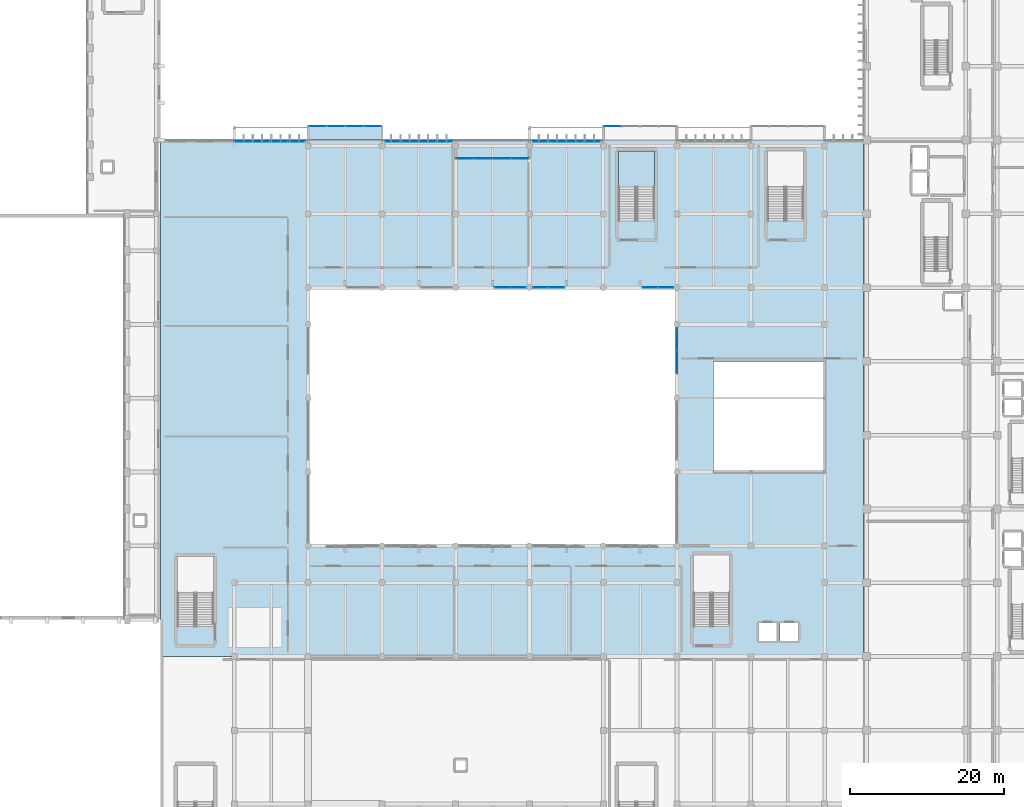
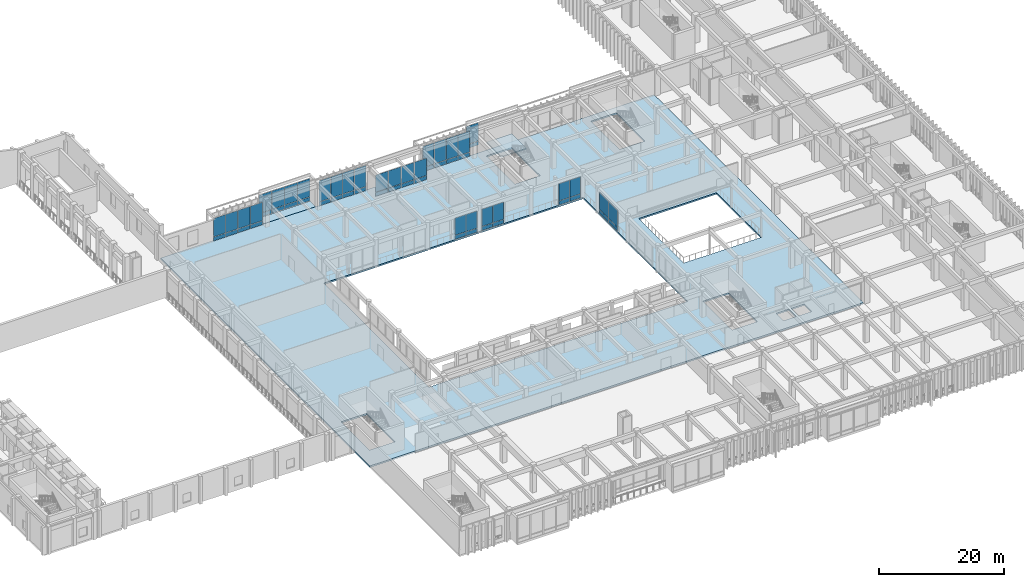
# One storey, part 94 of 134: 58 plates, 3 slabs, 11 elements without a shape of their own.
"""IFC4 building model written with IfcOpenShell, lengths in metres."""

from ifc_helpers import new_model, si_unit, direction, frame, origin, origin_2d, place, context, subcontext, project, spatial, polyline, rectangle, outline, extrude, material, layer, layer_set, type_object, element, aggregate, save


model = new_model("IFC4")

# Units and contexts
model_context = context("Model", 3, precision=1e-05, world=origin(), true_north=direction((0.0, 1.0)))
body_context = subcontext(model_context, "Body", "Model", "MODEL_VIEW")
ifc_project = project(units=[si_unit("LENGTHUNIT", "METRE"), si_unit("AREAUNIT", "SQUARE_METRE"), si_unit("VOLUMEUNIT", "CUBIC_METRE"), si_unit("PLANEANGLEUNIT", "RADIAN"), si_unit("MASSUNIT", "GRAM", prefix="KILO")], contexts=[model_context])

# Site, building, storey
site_placement = place(None, origin())
site = spatial("IfcSite", under=ifc_project, at=site_placement, CompositionType="ELEMENT")
building_placement = place(site_placement, origin())
building = spatial("IfcBuilding", under=site, at=building_placement, Name="Nakhvara Creek Congress Hotel", CompositionType="ELEMENT")
storey_placement = place(building_placement, frame((0.0, 0.0, 6.0)))
storey = spatial("IfcBuildingStorey", under=building, at=storey_placement, Name="L01", CompositionType="ELEMENT", Elevation=6.0)

# Curtain wall, plates
ifc_material_1 = material(Name="Bronze-anodised aluminium AW-6063-T6 and double-silver low-E glass", Category="aluminium")
ifc_layer_1 = layer(ifc_material_1, 0.199951171875)
ifc_layer_set_1 = layer_set([ifc_layer_1], Name="Bronze-anodised aluminium AW-6063-T6 and double-silver low-E glass")
curtain_wall_type_1 = type_object("IfcCurtainWallType", Name="CW-POD-STICK", PredefinedType="NOTDEFINED", material=ifc_layer_set_1)
curtain_wall_1_placement = place(storey_placement, origin())
curtain_wall_1 = element("IfcCurtainWall", 1, at=curtain_wall_1_placement, inside=storey, type_object=curtain_wall_type_1, Name="Curtain Wall CW022", PredefinedType="NOTDEFINED")
ifc_material_2 = material(Name="Double-silver solar-control low-E insulated glass", Category="glass")
plate_type = type_object("IfcPlateType", Name="PNL-GLZ-240X260", PredefinedType="CURTAIN_PANEL", material=ifc_material_2)
plate_1_placement = place(storey_placement, frame((104.132568359375, 76.800048828125, 0.06494140625), z_axis=(0.0, 0.0, 1.0), x_axis=(-1.0, 0.0, 0.0)))
plate_1 = element("IfcPlate", 2, at=plate_1_placement, type_object=plate_type, Name="CW022 panel 1.1", PredefinedType="CURTAIN_PANEL", context=body_context, shape_type="SweptSolid", body=[
    extrude(rectangle(XDim=1.97509765625, YDim=0.030029296875, at=origin_2d()), origin(), (0.0, 0.0, 1.0), 0.75244140625),
])
plate_2_placement = place(storey_placement, frame((104.132568359375, 76.800048828125, 0.88232421875), z_axis=(0.0, 0.0, 1.0), x_axis=(-1.0, 0.0, 0.0)))
plate_2 = element("IfcPlate", 3, at=plate_2_placement, type_object=plate_type, Name="CW022 panel 1.2", PredefinedType="CURTAIN_PANEL", context=body_context, shape_type="SweptSolid", body=[
    extrude(rectangle(XDim=1.97509765625, YDim=0.030029296875, at=origin_2d()), origin(), (0.0, 0.0, 1.0), 3.364501953125),
])
plate_3_placement = place(storey_placement, frame((102.092529296875, 76.800048828125, 0.06494140625), z_axis=(0.0, 0.0, 1.0), x_axis=(-1.0, 0.0, 0.0)))
plate_3 = element("IfcPlate", 4, at=plate_3_placement, type_object=plate_type, Name="CW022 panel 2.1", PredefinedType="CURTAIN_PANEL", context=body_context, shape_type="SweptSolid", body=[
    extrude(rectangle(XDim=1.97509765625, YDim=0.030029296875, at=origin_2d()), origin(), (0.0, 0.0, 1.0), 0.75244140625),
])
plate_4_placement = place(storey_placement, frame((102.092529296875, 76.800048828125, 0.88232421875), z_axis=(0.0, 0.0, 1.0), x_axis=(-1.0, 0.0, 0.0)))
plate_4 = element("IfcPlate", 5, at=plate_4_placement, type_object=plate_type, Name="CW022 panel 2.2", PredefinedType="CURTAIN_PANEL", context=body_context, shape_type="SweptSolid", body=[
    extrude(rectangle(XDim=1.97509765625, YDim=0.030029296875, at=origin_2d()), origin(), (0.0, 0.0, 1.0), 3.364501953125),
])
aggregate(curtain_wall_1, [plate_1, plate_2, plate_3, plate_4])

curtain_wall_2_placement = place(storey_placement, origin())
curtain_wall_2 = element("IfcCurtainWall", 6, at=curtain_wall_2_placement, inside=storey, type_object=curtain_wall_type_1, Name="Curtain Wall CW024", PredefinedType="NOTDEFINED")
plate_5_placement = place(storey_placement, frame((109.107421875, 76.800048828125, 0.06494140625), z_axis=(0.0, 0.0, 1.0), x_axis=(-1.0, 0.0, 0.0)))
plate_5 = element("IfcPlate", 7, at=plate_5_placement, type_object=plate_type, Name="CW024 panel 1.1", PredefinedType="CURTAIN_PANEL", context=body_context, shape_type="SweptSolid", body=[
    extrude(rectangle(XDim=1.97509765625, YDim=0.030029296875, at=origin_2d()), origin(), (0.0, 0.0, 1.0), 0.75244140625),
])
plate_6_placement = place(storey_placement, frame((109.107421875, 76.800048828125, 0.88232421875), z_axis=(0.0, 0.0, 1.0), x_axis=(-1.0, 0.0, 0.0)))
plate_6 = element("IfcPlate", 8, at=plate_6_placement, type_object=plate_type, Name="CW024 panel 1.2", PredefinedType="CURTAIN_PANEL", context=body_context, shape_type="SweptSolid", body=[
    extrude(rectangle(XDim=1.97509765625, YDim=0.030029296875, at=origin_2d()), origin(), (0.0, 0.0, 1.0), 3.364501953125),
])
plate_7_placement = place(storey_placement, frame((107.0673828125, 76.800048828125, 0.06494140625), z_axis=(0.0, 0.0, 1.0), x_axis=(-1.0, 0.0, 0.0)))
plate_7 = element("IfcPlate", 9, at=plate_7_placement, type_object=plate_type, Name="CW024 panel 2.1", PredefinedType="CURTAIN_PANEL", context=body_context, shape_type="SweptSolid", body=[
    extrude(rectangle(XDim=1.97509765625, YDim=0.030029296875, at=origin_2d()), origin(), (0.0, 0.0, 1.0), 0.75244140625),
])
plate_8_placement = place(storey_placement, frame((107.0673828125, 76.800048828125, 0.88232421875), z_axis=(0.0, 0.0, 1.0), x_axis=(-1.0, 0.0, 0.0)))
plate_8 = element("IfcPlate", 10, at=plate_8_placement, type_object=plate_type, Name="CW024 panel 2.2", PredefinedType="CURTAIN_PANEL", context=body_context, shape_type="SweptSolid", body=[
    extrude(rectangle(XDim=1.97509765625, YDim=0.030029296875, at=origin_2d()), origin(), (0.0, 0.0, 1.0), 3.364501953125),
])
aggregate(curtain_wall_2, [plate_5, plate_6, plate_7, plate_8])

curtain_wall_3_placement = place(storey_placement, origin())
curtain_wall_3 = element("IfcCurtainWall", 11, at=curtain_wall_3_placement, inside=storey, type_object=curtain_wall_type_1, Name="Curtain Wall CW026", PredefinedType="NOTDEFINED")
plate_9_placement = place(storey_placement, frame((123.33251953125, 76.800048828125, 0.06494140625), z_axis=(0.0, 0.0, 1.0), x_axis=(-1.0, 0.0, 0.0)))
plate_9 = element("IfcPlate", 12, at=plate_9_placement, type_object=plate_type, Name="CW026 panel 1.1", PredefinedType="CURTAIN_PANEL", context=body_context, shape_type="SweptSolid", body=[
    extrude(rectangle(XDim=1.97509765625, YDim=0.030029296875, at=origin_2d()), origin(), (0.0, 0.0, 1.0), 0.75244140625),
])
plate_10_placement = place(storey_placement, frame((123.33251953125, 76.800048828125, 0.88232421875), z_axis=(0.0, 0.0, 1.0), x_axis=(-1.0, 0.0, 0.0)))
plate_10 = element("IfcPlate", 13, at=plate_10_placement, type_object=plate_type, Name="CW026 panel 1.2", PredefinedType="CURTAIN_PANEL", context=body_context, shape_type="SweptSolid", body=[
    extrude(rectangle(XDim=1.97509765625, YDim=0.030029296875, at=origin_2d()), origin(), (0.0, 0.0, 1.0), 3.364501953125),
])
plate_11_placement = place(storey_placement, frame((121.29248046875, 76.800048828125, 0.06494140625), z_axis=(0.0, 0.0, 1.0), x_axis=(-1.0, 0.0, 0.0)))
plate_11 = element("IfcPlate", 14, at=plate_11_placement, type_object=plate_type, Name="CW026 panel 2.1", PredefinedType="CURTAIN_PANEL", context=body_context, shape_type="SweptSolid", body=[
    extrude(rectangle(XDim=1.97509765625, YDim=0.030029296875, at=origin_2d()), origin(), (0.0, 0.0, 1.0), 0.75244140625),
])
plate_12_placement = place(storey_placement, frame((121.29248046875, 76.800048828125, 0.88232421875), z_axis=(0.0, 0.0, 1.0), x_axis=(-1.0, 0.0, 0.0)))
plate_12 = element("IfcPlate", 15, at=plate_12_placement, type_object=plate_type, Name="CW026 panel 2.2", PredefinedType="CURTAIN_PANEL", context=body_context, shape_type="SweptSolid", body=[
    extrude(rectangle(XDim=1.97509765625, YDim=0.030029296875, at=origin_2d()), origin(), (0.0, 0.0, 1.0), 3.364501953125),
])
aggregate(curtain_wall_3, [plate_9, plate_10, plate_11, plate_12])

curtain_wall_4_placement = place(storey_placement, origin())
curtain_wall_4 = element("IfcCurtainWall", 16, at=curtain_wall_4_placement, inside=storey, type_object=curtain_wall_type_1, Name="Curtain Wall CW032", PredefinedType="NOTDEFINED")
plate_13_placement = place(storey_placement, frame((124.800048828125, 67.112548828125, 0.06494140625), z_axis=(0.0, 0.0, 1.0), x_axis=(0.0, 1.0, 0.0)))
plate_13 = element("IfcPlate", 17, at=plate_13_placement, type_object=plate_type, Name="CW032 panel 1.1", PredefinedType="CURTAIN_PANEL", context=body_context, shape_type="SweptSolid", body=[
    extrude(rectangle(XDim=2.89501953125, YDim=0.030029296875, at=origin_2d()), origin(), (0.0, 0.0, 1.0), 0.75244140625),
])
plate_14_placement = place(storey_placement, frame((124.800048828125, 67.112548828125, 0.88232421875), z_axis=(0.0, 0.0, 1.0), x_axis=(0.0, 1.0, 0.0)))
plate_14 = element("IfcPlate", 18, at=plate_14_placement, type_object=plate_type, Name="CW032 panel 1.2", PredefinedType="CURTAIN_PANEL", context=body_context, shape_type="SweptSolid", body=[
    extrude(rectangle(XDim=2.89501953125, YDim=0.030029296875, at=origin_2d()), origin(), (0.0, 0.0, 1.0), 3.364501953125),
])
plate_15_placement = place(storey_placement, frame((124.800048828125, 70.072509765625, 0.06494140625), z_axis=(0.0, 0.0, 1.0), x_axis=(0.0, 1.0, 0.0)))
plate_15 = element("IfcPlate", 19, at=plate_15_placement, type_object=plate_type, Name="CW032 panel 2.1", PredefinedType="CURTAIN_PANEL", context=body_context, shape_type="SweptSolid", body=[
    extrude(rectangle(XDim=2.89501953125, YDim=0.030029296875, at=origin_2d()), origin(), (0.0, 0.0, 1.0), 0.75244140625),
])
plate_16_placement = place(storey_placement, frame((124.800048828125, 70.072509765625, 0.88232421875), z_axis=(0.0, 0.0, 1.0), x_axis=(0.0, 1.0, 0.0)))
plate_16 = element("IfcPlate", 20, at=plate_16_placement, type_object=plate_type, Name="CW032 panel 2.2", PredefinedType="CURTAIN_PANEL", context=body_context, shape_type="SweptSolid", body=[
    extrude(rectangle(XDim=2.89501953125, YDim=0.030029296875, at=origin_2d()), origin(), (0.0, 0.0, 1.0), 3.364501953125),
])
aggregate(curtain_wall_4, [plate_13, plate_14, plate_15, plate_16])

ifc_layer_2 = layer(ifc_material_1, 0.219970703125)
ifc_layer_set_2 = layer_set([ifc_layer_2], Name="Bronze-anodised aluminium AW-6063-T6 and double-silver low-E glass")
curtain_wall_type_2 = type_object("IfcCurtainWallType", Name="CW-BOX-PROJ", PredefinedType="USERDEFINED", material=ifc_layer_set_2)
curtain_wall_5_placement = place(storey_placement, origin())
curtain_wall_5 = element("IfcCurtainWall", 21, at=curtain_wall_5_placement, inside=storey, type_object=curtain_wall_type_2, Name="Curtain Wall CW065", ObjectType="UNITISED", PredefinedType="USERDEFINED")
plate_17_placement = place(storey_placement, frame((78.02001953125, 97.800048828125, 0.0751953125), z_axis=(0.0, 0.0, 1.0), x_axis=(1.0, 0.0, 0.0)))
plate_17 = element("IfcPlate", 22, at=plate_17_placement, type_object=plate_type, Name="CW065 panel 1.1", PredefinedType="CURTAIN_PANEL", context=body_context, shape_type="SweptSolid", body=[
    extrude(rectangle(XDim=2.280029296875, YDim=0.030029296875, at=origin_2d()), origin(), (0.0, 0.0, 1.0), 0.737548828125),
])
plate_18_placement = place(storey_placement, frame((78.02001953125, 97.800048828125, 0.887451171875), z_axis=(0.0, 0.0, 1.0), x_axis=(1.0, 0.0, 0.0)))
plate_18 = element("IfcPlate", 23, at=plate_18_placement, type_object=plate_type, Name="CW065 panel 1.2", PredefinedType="CURTAIN_PANEL", context=body_context, shape_type="SweptSolid", body=[
    extrude(rectangle(XDim=2.280029296875, YDim=0.030029296875, at=origin_2d()), origin(), (0.0, 0.0, 1.0), 3.57958984375),
])
plate_19_placement = place(storey_placement, frame((80.39990234375, 97.800048828125, 0.0751953125), z_axis=(0.0, 0.0, 1.0), x_axis=(1.0, 0.0, 0.0)))
plate_19 = element("IfcPlate", 24, at=plate_19_placement, type_object=plate_type, Name="CW065 panel 2.1", PredefinedType="CURTAIN_PANEL", context=body_context, shape_type="SweptSolid", body=[
    extrude(rectangle(XDim=2.320068359375, YDim=0.030029296875, at=origin_2d()), origin(), (0.0, 0.0, 1.0), 0.737548828125),
])
plate_20_placement = place(storey_placement, frame((80.39990234375, 97.800048828125, 0.887451171875), z_axis=(0.0, 0.0, 1.0), x_axis=(1.0, 0.0, 0.0)))
plate_20 = element("IfcPlate", 25, at=plate_20_placement, type_object=plate_type, Name="CW065 panel 2.2", PredefinedType="CURTAIN_PANEL", context=body_context, shape_type="SweptSolid", body=[
    extrude(rectangle(XDim=2.320068359375, YDim=0.030029296875, at=origin_2d()), origin(), (0.0, 0.0, 1.0), 3.57958984375),
])
plate_21_placement = place(storey_placement, frame((82.800048828125, 97.800048828125, 0.0751953125), z_axis=(0.0, 0.0, 1.0), x_axis=(1.0, 0.0, 0.0)))
plate_21 = element("IfcPlate", 26, at=plate_21_placement, type_object=plate_type, Name="CW065 panel 3.1", PredefinedType="CURTAIN_PANEL", context=body_context, shape_type="SweptSolid", body=[
    extrude(rectangle(XDim=2.320068359375, YDim=0.030029296875, at=origin_2d()), origin(), (0.0, 0.0, 1.0), 0.737548828125),
])
plate_22_placement = place(storey_placement, frame((82.800048828125, 97.800048828125, 0.887451171875), z_axis=(0.0, 0.0, 1.0), x_axis=(1.0, 0.0, 0.0)))
plate_22 = element("IfcPlate", 27, at=plate_22_placement, type_object=plate_type, Name="CW065 panel 3.2", PredefinedType="CURTAIN_PANEL", context=body_context, shape_type="SweptSolid", body=[
    extrude(rectangle(XDim=2.320068359375, YDim=0.030029296875, at=origin_2d()), origin(), (0.0, 0.0, 1.0), 3.57958984375),
])
plate_23_placement = place(storey_placement, frame((85.179931640625, 97.800048828125, 0.0751953125), z_axis=(0.0, 0.0, 1.0), x_axis=(1.0, 0.0, 0.0)))
plate_23 = element("IfcPlate", 28, at=plate_23_placement, type_object=plate_type, Name="CW065 panel 4.1", PredefinedType="CURTAIN_PANEL", context=body_context, shape_type="SweptSolid", body=[
    extrude(rectangle(XDim=2.280029296875, YDim=0.030029296875, at=origin_2d()), origin(), (0.0, 0.0, 1.0), 0.737548828125),
])
plate_24_placement = place(storey_placement, frame((85.179931640625, 97.800048828125, 0.887451171875), z_axis=(0.0, 0.0, 1.0), x_axis=(1.0, 0.0, 0.0)))
plate_24 = element("IfcPlate", 29, at=plate_24_placement, type_object=plate_type, Name="CW065 panel 4.2", PredefinedType="CURTAIN_PANEL", context=body_context, shape_type="SweptSolid", body=[
    extrude(rectangle(XDim=2.280029296875, YDim=0.030029296875, at=origin_2d()), origin(), (0.0, 0.0, 1.0), 3.57958984375),
])
aggregate(curtain_wall_5, [plate_17, plate_18, plate_19, plate_20, plate_21, plate_22, plate_23, plate_24])

curtain_wall_6_placement = place(storey_placement, origin())
curtain_wall_6 = element("IfcCurtainWall", 30, at=curtain_wall_6_placement, inside=storey, type_object=curtain_wall_type_2, Name="Curtain Wall CW066", ObjectType="UNITISED", PredefinedType="USERDEFINED")
plate_25_placement = place(storey_placement, frame((116.419921875, 97.800048828125, 0.0751953125), z_axis=(0.0, 0.0, 1.0), x_axis=(1.0, 0.0, 0.0)))
plate_25 = element("IfcPlate", 31, at=plate_25_placement, type_object=plate_type, Name="CW066 panel 1.1", PredefinedType="CURTAIN_PANEL", context=body_context, shape_type="SweptSolid", body=[
    extrude(rectangle(XDim=2.280029296875, YDim=0.030029296875, at=origin_2d()), origin(), (0.0, 0.0, 1.0), 0.737548828125),
])
plate_26_placement = place(storey_placement, frame((116.419921875, 97.800048828125, 0.887451171875), z_axis=(0.0, 0.0, 1.0), x_axis=(1.0, 0.0, 0.0)))
plate_26 = element("IfcPlate", 32, at=plate_26_placement, type_object=plate_type, Name="CW066 panel 1.2", PredefinedType="CURTAIN_PANEL", context=body_context, shape_type="SweptSolid", body=[
    extrude(rectangle(XDim=2.280029296875, YDim=0.030029296875, at=origin_2d()), origin(), (0.0, 0.0, 1.0), 3.57958984375),
])
aggregate(curtain_wall_6, [plate_25, plate_26])

ifc_layer_3 = layer(ifc_material_1, 0.219970703125)
ifc_layer_set_3 = layer_set([ifc_layer_3], Name="Bronze-anodised aluminium AW-6063-T6 and double-silver low-E glass")
curtain_wall_type_3 = type_object("IfcCurtainWallType", Name="CW-BOX-REC", PredefinedType="USERDEFINED", material=ifc_layer_set_3)
curtain_wall_7_placement = place(storey_placement, origin())
curtain_wall_7 = element("IfcCurtainWall", 33, at=curtain_wall_7_placement, inside=storey, type_object=curtain_wall_type_3, Name="Curtain Wall CW068", ObjectType="UNITISED", PredefinedType="USERDEFINED")
plate_27_placement = place(storey_placement, frame((97.21875, 93.60009765625, 0.0751953125), z_axis=(0.0, 0.0, 1.0), x_axis=(1.0, 0.0, 0.0)))
plate_27 = element("IfcPlate", 34, at=plate_27_placement, type_object=plate_type, Name="CW068 panel 1.1", PredefinedType="CURTAIN_PANEL", context=body_context, shape_type="SweptSolid", body=[
    extrude(rectangle(XDim=2.28759765625, YDim=0.030029296875, at=origin_2d()), origin(), (0.0, 0.0, 1.0), 0.737548828125),
])
plate_28_placement = place(storey_placement, frame((97.21875, 93.60009765625, 0.887451171875), z_axis=(0.0, 0.0, 1.0), x_axis=(1.0, 0.0, 0.0)))
plate_28 = element("IfcPlate", 35, at=plate_28_placement, type_object=plate_type, Name="CW068 panel 1.2", PredefinedType="CURTAIN_PANEL", context=body_context, shape_type="SweptSolid", body=[
    extrude(rectangle(XDim=2.28759765625, YDim=0.030029296875, at=origin_2d()), origin(), (0.0, 0.0, 1.0), 3.349609375),
])
plate_29_placement = place(storey_placement, frame((99.60009765625, 93.60009765625, 0.0751953125), z_axis=(0.0, 0.0, 1.0), x_axis=(1.0, 0.0, 0.0)))
plate_29 = element("IfcPlate", 36, at=plate_29_placement, type_object=plate_type, Name="CW068 panel 2.1", PredefinedType="CURTAIN_PANEL", context=body_context, shape_type="SweptSolid", body=[
    extrude(rectangle(XDim=2.324951171875, YDim=0.030029296875, at=origin_2d()), origin(), (0.0, 0.0, 1.0), 0.737548828125),
])
plate_30_placement = place(storey_placement, frame((99.60009765625, 93.60009765625, 0.887451171875), z_axis=(0.0, 0.0, 1.0), x_axis=(1.0, 0.0, 0.0)))
plate_30 = element("IfcPlate", 37, at=plate_30_placement, type_object=plate_type, Name="CW068 panel 2.2", PredefinedType="CURTAIN_PANEL", context=body_context, shape_type="SweptSolid", body=[
    extrude(rectangle(XDim=2.324951171875, YDim=0.030029296875, at=origin_2d()), origin(), (0.0, 0.0, 1.0), 3.349609375),
])
plate_31_placement = place(storey_placement, frame((102.0, 93.60009765625, 0.0751953125), z_axis=(0.0, 0.0, 1.0), x_axis=(1.0, 0.0, 0.0)))
plate_31 = element("IfcPlate", 38, at=plate_31_placement, type_object=plate_type, Name="CW068 panel 3.1", PredefinedType="CURTAIN_PANEL", context=body_context, shape_type="SweptSolid", body=[
    extrude(rectangle(XDim=2.324951171875, YDim=0.030029296875, at=origin_2d()), origin(), (0.0, 0.0, 1.0), 0.737548828125),
])
plate_32_placement = place(storey_placement, frame((102.0, 93.60009765625, 0.887451171875), z_axis=(0.0, 0.0, 1.0), x_axis=(1.0, 0.0, 0.0)))
plate_32 = element("IfcPlate", 39, at=plate_32_placement, type_object=plate_type, Name="CW068 panel 3.2", PredefinedType="CURTAIN_PANEL", context=body_context, shape_type="SweptSolid", body=[
    extrude(rectangle(XDim=2.324951171875, YDim=0.030029296875, at=origin_2d()), origin(), (0.0, 0.0, 1.0), 3.349609375),
])
plate_33_placement = place(storey_placement, frame((104.38134765625, 93.60009765625, 0.0751953125), z_axis=(0.0, 0.0, 1.0), x_axis=(1.0, 0.0, 0.0)))
plate_33 = element("IfcPlate", 40, at=plate_33_placement, type_object=plate_type, Name="CW068 panel 4.1", PredefinedType="CURTAIN_PANEL", context=body_context, shape_type="SweptSolid", body=[
    extrude(rectangle(XDim=2.28759765625, YDim=0.030029296875, at=origin_2d()), origin(), (0.0, 0.0, 1.0), 0.737548828125),
])
plate_34_placement = place(storey_placement, frame((104.38134765625, 93.60009765625, 0.887451171875), z_axis=(0.0, 0.0, 1.0), x_axis=(1.0, 0.0, 0.0)))
plate_34 = element("IfcPlate", 41, at=plate_34_placement, type_object=plate_type, Name="CW068 panel 4.2", PredefinedType="CURTAIN_PANEL", context=body_context, shape_type="SweptSolid", body=[
    extrude(rectangle(XDim=2.28759765625, YDim=0.030029296875, at=origin_2d()), origin(), (0.0, 0.0, 1.0), 3.349609375),
])
aggregate(curtain_wall_7, [plate_27, plate_28, plate_29, plate_30, plate_31, plate_32, plate_33, plate_34])

curtain_wall_8_placement = place(storey_placement, origin())
curtain_wall_8 = element("IfcCurtainWall", 42, at=curtain_wall_8_placement, inside=storey, type_object=curtain_wall_type_1, Name="Curtain Wall CW069", PredefinedType="NOTDEFINED")
plate_35_placement = place(storey_placement, frame((68.36572265625, 95.800048828125, 0.06494140625), z_axis=(0.0, 0.0, 1.0), x_axis=(1.0, 0.0, 0.0)))
plate_35 = element("IfcPlate", 43, at=plate_35_placement, type_object=plate_type, Name="CW069 panel 1.1", PredefinedType="CURTAIN_PANEL", context=body_context, shape_type="SweptSolid", body=[
    extrude(rectangle(XDim=2.201171875, YDim=0.030029296875, at=origin_2d()), origin(), (0.0, 0.0, 1.0), 0.75244140625),
])
plate_36_placement = place(storey_placement, frame((68.36572265625, 95.800048828125, 0.88232421875), z_axis=(0.0, 0.0, 1.0), x_axis=(1.0, 0.0, 0.0)))
plate_36 = element("IfcPlate", 44, at=plate_36_placement, type_object=plate_type, Name="CW069 panel 1.2", PredefinedType="CURTAIN_PANEL", context=body_context, shape_type="SweptSolid", body=[
    extrude(rectangle(XDim=2.201171875, YDim=0.030029296875, at=origin_2d()), origin(), (0.0, 0.0, 1.0), 3.594482421875),
])
plate_37_placement = place(storey_placement, frame((70.648193359375, 95.800048828125, 0.06494140625), z_axis=(0.0, 0.0, 1.0), x_axis=(1.0, 0.0, 0.0)))
plate_37 = element("IfcPlate", 45, at=plate_37_placement, type_object=plate_type, Name="CW069 panel 2.1", PredefinedType="CURTAIN_PANEL", context=body_context, shape_type="SweptSolid", body=[
    extrude(rectangle(XDim=2.233642578125, YDim=0.030029296875, at=origin_2d()), origin(), (0.0, 0.0, 1.0), 0.75244140625),
])
plate_38_placement = place(storey_placement, frame((70.648193359375, 95.800048828125, 0.88232421875), z_axis=(0.0, 0.0, 1.0), x_axis=(1.0, 0.0, 0.0)))
plate_38 = element("IfcPlate", 46, at=plate_38_placement, type_object=plate_type, Name="CW069 panel 2.2", PredefinedType="CURTAIN_PANEL", context=body_context, shape_type="SweptSolid", body=[
    extrude(rectangle(XDim=2.233642578125, YDim=0.030029296875, at=origin_2d()), origin(), (0.0, 0.0, 1.0), 3.594482421875),
])
plate_39_placement = place(storey_placement, frame((72.94677734375, 95.800048828125, 0.06494140625), z_axis=(0.0, 0.0, 1.0), x_axis=(1.0, 0.0, 0.0)))
plate_39 = element("IfcPlate", 47, at=plate_39_placement, type_object=plate_type, Name="CW069 panel 3.1", PredefinedType="CURTAIN_PANEL", context=body_context, shape_type="SweptSolid", body=[
    extrude(rectangle(XDim=2.233642578125, YDim=0.030029296875, at=origin_2d()), origin(), (0.0, 0.0, 1.0), 0.75244140625),
])
plate_40_placement = place(storey_placement, frame((72.94677734375, 95.800048828125, 0.88232421875), z_axis=(0.0, 0.0, 1.0), x_axis=(1.0, 0.0, 0.0)))
plate_40 = element("IfcPlate", 48, at=plate_40_placement, type_object=plate_type, Name="CW069 panel 3.2", PredefinedType="CURTAIN_PANEL", context=body_context, shape_type="SweptSolid", body=[
    extrude(rectangle(XDim=2.233642578125, YDim=0.030029296875, at=origin_2d()), origin(), (0.0, 0.0, 1.0), 3.594482421875),
])
plate_41_placement = place(storey_placement, frame((75.2294921875, 95.800048828125, 0.06494140625), z_axis=(0.0, 0.0, 1.0), x_axis=(1.0, 0.0, 0.0)))
plate_41 = element("IfcPlate", 49, at=plate_41_placement, type_object=plate_type, Name="CW069 panel 4.1", PredefinedType="CURTAIN_PANEL", context=body_context, shape_type="SweptSolid", body=[
    extrude(rectangle(XDim=2.201171875, YDim=0.030029296875, at=origin_2d()), origin(), (0.0, 0.0, 1.0), 0.75244140625),
])
plate_42_placement = place(storey_placement, frame((75.2294921875, 95.800048828125, 0.88232421875), z_axis=(0.0, 0.0, 1.0), x_axis=(1.0, 0.0, 0.0)))
plate_42 = element("IfcPlate", 50, at=plate_42_placement, type_object=plate_type, Name="CW069 panel 4.2", PredefinedType="CURTAIN_PANEL", context=body_context, shape_type="SweptSolid", body=[
    extrude(rectangle(XDim=2.201171875, YDim=0.030029296875, at=origin_2d()), origin(), (0.0, 0.0, 1.0), 3.594482421875),
])
aggregate(curtain_wall_8, [plate_35, plate_36, plate_37, plate_38, plate_39, plate_40, plate_41, plate_42])

curtain_wall_9_placement = place(storey_placement, origin())
curtain_wall_9 = element("IfcCurtainWall", 51, at=curtain_wall_9_placement, inside=storey, type_object=curtain_wall_type_1, Name="Curtain Wall CW070", PredefinedType="NOTDEFINED")
plate_43_placement = place(storey_placement, frame((87.919921875, 95.800048828125, 0.06494140625), z_axis=(0.0, 0.0, 1.0), x_axis=(1.0, 0.0, 0.0)))
plate_43 = element("IfcPlate", 52, at=plate_43_placement, type_object=plate_type, Name="CW070 panel 1.1", PredefinedType="CURTAIN_PANEL", context=body_context, shape_type="SweptSolid", body=[
    extrude(rectangle(XDim=2.10009765625, YDim=0.030029296875, at=origin_2d()), origin(), (0.0, 0.0, 1.0), 0.75244140625),
])
plate_44_placement = place(storey_placement, frame((87.919921875, 95.800048828125, 0.882568359375), z_axis=(0.0, 0.0, 1.0), x_axis=(1.0, 0.0, 0.0)))
plate_44 = element("IfcPlate", 53, at=plate_44_placement, type_object=plate_type, Name="CW070 panel 1.2", PredefinedType="CURTAIN_PANEL", context=body_context, shape_type="SweptSolid", body=[
    extrude(rectangle(XDim=2.10009765625, YDim=0.030029296875, at=origin_2d()), origin(), (0.0, 0.0, 1.0), 4.12255859375),
])
plate_45_placement = place(storey_placement, frame((90.101318359375, 95.800048828125, 0.06494140625), z_axis=(0.0, 0.0, 1.0), x_axis=(1.0, 0.0, 0.0)))
plate_45 = element("IfcPlate", 54, at=plate_45_placement, type_object=plate_type, Name="CW070 panel 2.1", PredefinedType="CURTAIN_PANEL", context=body_context, shape_type="SweptSolid", body=[
    extrude(rectangle(XDim=2.132568359375, YDim=0.030029296875, at=origin_2d()), origin(), (0.0, 0.0, 1.0), 0.75244140625),
])
plate_46_placement = place(storey_placement, frame((90.101318359375, 95.800048828125, 0.882568359375), z_axis=(0.0, 0.0, 1.0), x_axis=(1.0, 0.0, 0.0)))
plate_46 = element("IfcPlate", 55, at=plate_46_placement, type_object=plate_type, Name="CW070 panel 2.2", PredefinedType="CURTAIN_PANEL", context=body_context, shape_type="SweptSolid", body=[
    extrude(rectangle(XDim=2.132568359375, YDim=0.030029296875, at=origin_2d()), origin(), (0.0, 0.0, 1.0), 4.12255859375),
])
plate_47_placement = place(storey_placement, frame((92.298828125, 95.800048828125, 0.06494140625), z_axis=(0.0, 0.0, 1.0), x_axis=(1.0, 0.0, 0.0)))
plate_47 = element("IfcPlate", 56, at=plate_47_placement, type_object=plate_type, Name="CW070 panel 3.1", PredefinedType="CURTAIN_PANEL", context=body_context, shape_type="SweptSolid", body=[
    extrude(rectangle(XDim=2.132568359375, YDim=0.030029296875, at=origin_2d()), origin(), (0.0, 0.0, 1.0), 0.75244140625),
])
plate_48_placement = place(storey_placement, frame((92.298828125, 95.800048828125, 0.882568359375), z_axis=(0.0, 0.0, 1.0), x_axis=(1.0, 0.0, 0.0)))
plate_48 = element("IfcPlate", 57, at=plate_48_placement, type_object=plate_type, Name="CW070 panel 3.2", PredefinedType="CURTAIN_PANEL", context=body_context, shape_type="SweptSolid", body=[
    extrude(rectangle(XDim=2.132568359375, YDim=0.030029296875, at=origin_2d()), origin(), (0.0, 0.0, 1.0), 4.12255859375),
])
plate_49_placement = place(storey_placement, frame((94.47998046875, 95.800048828125, 0.06494140625), z_axis=(0.0, 0.0, 1.0), x_axis=(1.0, 0.0, 0.0)))
plate_49 = element("IfcPlate", 58, at=plate_49_placement, type_object=plate_type, Name="CW070 panel 4.1", PredefinedType="CURTAIN_PANEL", context=body_context, shape_type="SweptSolid", body=[
    extrude(rectangle(XDim=2.10009765625, YDim=0.030029296875, at=origin_2d()), origin(), (0.0, 0.0, 1.0), 0.75244140625),
])
plate_50_placement = place(storey_placement, frame((94.47998046875, 95.800048828125, 0.882568359375), z_axis=(0.0, 0.0, 1.0), x_axis=(1.0, 0.0, 0.0)))
plate_50 = element("IfcPlate", 59, at=plate_50_placement, type_object=plate_type, Name="CW070 panel 4.2", PredefinedType="CURTAIN_PANEL", context=body_context, shape_type="SweptSolid", body=[
    extrude(rectangle(XDim=2.10009765625, YDim=0.030029296875, at=origin_2d()), origin(), (0.0, 0.0, 1.0), 4.12255859375),
])
aggregate(curtain_wall_9, [plate_43, plate_44, plate_45, plate_46, plate_47, plate_48, plate_49, plate_50])

curtain_wall_10_placement = place(storey_placement, origin())
curtain_wall_10 = element("IfcCurtainWall", 60, at=curtain_wall_10_placement, inside=storey, type_object=curtain_wall_type_1, Name="Curtain Wall CW071", PredefinedType="NOTDEFINED")
plate_51_placement = place(storey_placement, frame((107.1201171875, 95.800048828125, 0.06494140625), z_axis=(0.0, 0.0, 1.0), x_axis=(1.0, 0.0, 0.0)))
plate_51 = element("IfcPlate", 61, at=plate_51_placement, type_object=plate_type, Name="CW071 panel 1.1", PredefinedType="CURTAIN_PANEL", context=body_context, shape_type="SweptSolid", body=[
    extrude(rectangle(XDim=2.10009765625, YDim=0.030029296875, at=origin_2d()), origin(), (0.0, 0.0, 1.0), 0.75244140625),
])
plate_52_placement = place(storey_placement, frame((107.1201171875, 95.800048828125, 0.882568359375), z_axis=(0.0, 0.0, 1.0), x_axis=(1.0, 0.0, 0.0)))
plate_52 = element("IfcPlate", 62, at=plate_52_placement, type_object=plate_type, Name="CW071 panel 1.2", PredefinedType="CURTAIN_PANEL", context=body_context, shape_type="SweptSolid", body=[
    extrude(rectangle(XDim=2.10009765625, YDim=0.030029296875, at=origin_2d()), origin(), (0.0, 0.0, 1.0), 4.12255859375),
])
plate_53_placement = place(storey_placement, frame((109.30126953125, 95.800048828125, 0.06494140625), z_axis=(0.0, 0.0, 1.0), x_axis=(1.0, 0.0, 0.0)))
plate_53 = element("IfcPlate", 63, at=plate_53_placement, type_object=plate_type, Name="CW071 panel 2.1", PredefinedType="CURTAIN_PANEL", context=body_context, shape_type="SweptSolid", body=[
    extrude(rectangle(XDim=2.132568359375, YDim=0.030029296875, at=origin_2d()), origin(), (0.0, 0.0, 1.0), 0.75244140625),
])
plate_54_placement = place(storey_placement, frame((109.30126953125, 95.800048828125, 0.882568359375), z_axis=(0.0, 0.0, 1.0), x_axis=(1.0, 0.0, 0.0)))
plate_54 = element("IfcPlate", 64, at=plate_54_placement, type_object=plate_type, Name="CW071 panel 2.2", PredefinedType="CURTAIN_PANEL", context=body_context, shape_type="SweptSolid", body=[
    extrude(rectangle(XDim=2.132568359375, YDim=0.030029296875, at=origin_2d()), origin(), (0.0, 0.0, 1.0), 4.12255859375),
])
plate_55_placement = place(storey_placement, frame((111.498779296875, 95.800048828125, 0.06494140625), z_axis=(0.0, 0.0, 1.0), x_axis=(1.0, 0.0, 0.0)))
plate_55 = element("IfcPlate", 65, at=plate_55_placement, type_object=plate_type, Name="CW071 panel 3.1", PredefinedType="CURTAIN_PANEL", context=body_context, shape_type="SweptSolid", body=[
    extrude(rectangle(XDim=2.132568359375, YDim=0.030029296875, at=origin_2d()), origin(), (0.0, 0.0, 1.0), 0.75244140625),
])
plate_56_placement = place(storey_placement, frame((111.498779296875, 95.800048828125, 0.882568359375), z_axis=(0.0, 0.0, 1.0), x_axis=(1.0, 0.0, 0.0)))
plate_56 = element("IfcPlate", 66, at=plate_56_placement, type_object=plate_type, Name="CW071 panel 3.2", PredefinedType="CURTAIN_PANEL", context=body_context, shape_type="SweptSolid", body=[
    extrude(rectangle(XDim=2.132568359375, YDim=0.030029296875, at=origin_2d()), origin(), (0.0, 0.0, 1.0), 4.12255859375),
])
plate_57_placement = place(storey_placement, frame((113.679931640625, 95.800048828125, 0.06494140625), z_axis=(0.0, 0.0, 1.0), x_axis=(1.0, 0.0, 0.0)))
plate_57 = element("IfcPlate", 67, at=plate_57_placement, type_object=plate_type, Name="CW071 panel 4.1", PredefinedType="CURTAIN_PANEL", context=body_context, shape_type="SweptSolid", body=[
    extrude(rectangle(XDim=2.10009765625, YDim=0.030029296875, at=origin_2d()), origin(), (0.0, 0.0, 1.0), 0.75244140625),
])
plate_58_placement = place(storey_placement, frame((113.679931640625, 95.800048828125, 0.882568359375), z_axis=(0.0, 0.0, 1.0), x_axis=(1.0, 0.0, 0.0)))
plate_58 = element("IfcPlate", 68, at=plate_58_placement, type_object=plate_type, Name="CW071 panel 4.2", PredefinedType="CURTAIN_PANEL", context=body_context, shape_type="SweptSolid", body=[
    extrude(rectangle(XDim=2.10009765625, YDim=0.030029296875, at=origin_2d()), origin(), (0.0, 0.0, 1.0), 4.12255859375),
])
aggregate(curtain_wall_10, [plate_51, plate_52, plate_53, plate_54, plate_55, plate_56, plate_57, plate_58])

# Slabs
ifc_material_3 = material(Name="Concrete C40/50", Category="concrete")
ifc_layer_4 = layer(ifc_material_3, 0.219970703125)
ifc_layer_set_4 = layer_set([ifc_layer_4], Name="Concrete C40/50")
slab_type_1 = type_object("IfcSlabType", Name="SL-FLR-220", PredefinedType="FLOOR", material=ifc_layer_set_4)
slab_1_placement = place(storey_placement, frame((0.0, 0.0, -0.219970703125)))
element("IfcSlab", 69, at=slab_1_placement, inside=storey, type_object=slab_type_1, Name="Structural Slab SLB-PBOX-L01-N1", PredefinedType="FLOOR", context=body_context, shape_type="SweptSolid", body=[
    extrude(outline(polyline([(76.800048828125, 96.0), (86.39990234375, 96.0), (86.39990234375, 97.800048828125), (76.800048828125, 97.800048828125), (76.800048828125, 96.0)])), origin(), (0.0, 0.0, 1.0), 0.219970703125),
])
ifc_layer_5 = layer(ifc_material_3, 0.300048828125)
ifc_layer_set_5 = layer_set([ifc_layer_5], Name="Concrete C40/50")
slab_type_2 = type_object("IfcSlabType", Name="SL-FLR-300", PredefinedType="FLOOR", material=ifc_layer_set_5)
slab_2_placement = place(storey_placement, frame((0.0, 0.0, -0.300048828125)))
element("IfcSlab", 70, at=slab_2_placement, inside=storey, type_object=slab_type_2, Name="Structural Slab SLB-L01-V3", PredefinedType="FLOOR", context=body_context, shape_type="SweptSolid", body=[
    extrude(outline(polyline([(57.60009765625, 96.0), (149.050048828125, 96.0), (149.050048828125, 28.800048828125), (57.60009765625, 28.800048828125), (57.60009765625, 96.0)]), holes=[polyline([(137.800048828125, 30.800048828125), (137.800048828125, 33.199951171875), (135.39990234375, 33.199951171875), (135.39990234375, 30.800048828125), (137.800048828125, 30.800048828125)]), polyline([(140.60009765625, 30.800048828125), (140.60009765625, 33.199951171875), (138.199951171875, 33.199951171875), (138.199951171875, 30.800048828125), (140.60009765625, 30.800048828125)]), polyline([(64.47998046875, 41.800048828125), (59.77001953125, 41.800048828125), (59.77001953125, 32.679931640625), (64.47998046875, 32.679931640625), (64.47998046875, 41.800048828125)]), polyline([(131.659912109375, 42.0), (126.949951171875, 42.0), (126.949951171875, 32.679931640625), (131.659912109375, 32.679931640625), (131.659912109375, 42.0)]), polyline([(124.800048828125, 43.199951171875), (124.800048828125, 76.800048828125), (76.800048828125, 76.800048828125), (76.800048828125, 43.199951171875), (124.800048828125, 43.199951171875)]), polyline([(144.0, 52.800048828125), (144.0, 67.199951171875), (129.60009765625, 67.199951171875), (129.60009765625, 52.800048828125), (144.0, 52.800048828125)]), polyline([(121.8798828125, 94.60009765625), (117.169921875, 94.60009765625), (117.169921875, 85.47998046875), (121.8798828125, 85.47998046875), (121.8798828125, 94.60009765625)]), polyline([(141.280029296875, 94.60009765625), (136.570068359375, 94.60009765625), (136.570068359375, 85.47998046875), (141.280029296875, 85.47998046875), (141.280029296875, 94.60009765625)])]), origin(), (0.0, 0.0, 1.0), 0.300048828125),
])

# Stair, slab
stair_type = type_object("IfcStairType", Name="ST-CORE-230", PredefinedType="HALF_TURN_STAIR", material=ifc_material_3)
stair_placement = place(storey_placement, origin())
stair = element("IfcStair", 71, at=stair_placement, inside=storey, type_object=stair_type, Name="L01 Protected Exit Stair ST09", PredefinedType="HALF_TURN_STAIR")
ifc_layer_6 = layer(ifc_material_3, 0.199951171875)
ifc_layer_set_6 = layer_set([ifc_layer_6], Name="Concrete C40/50")
slab_type_3 = type_object("IfcSlabType", Name="SL-LAND-200", PredefinedType="LANDING", material=ifc_layer_set_6)
slab_3_placement = place(storey_placement, frame((0.0, 0.0, 2.5)))
slab_3 = element("IfcSlab", 72, at=slab_3_placement, type_object=slab_type_3, Name="ST09 landing 1", PredefinedType="LANDING", context=body_context, shape_type="SweptSolid", body=[
    extrude(outline(polyline([(121.8798828125, 89.889892578125), (121.8798828125, 94.60009765625), (117.169921875, 94.60009765625), (117.169921875, 89.889892578125), (121.8798828125, 89.889892578125)])), origin(), (0.0, 0.0, 1.0), 0.199951171875),
])
aggregate(stair, [slab_3])

save(model, "model.ifc")
